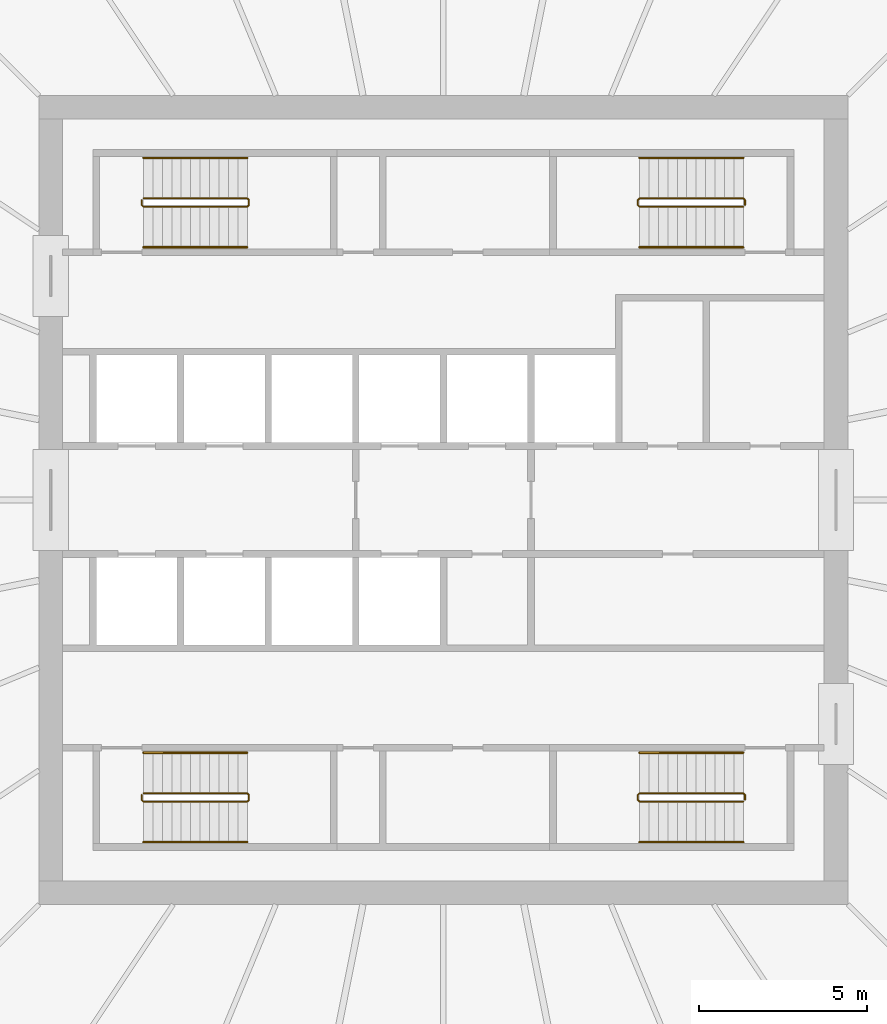
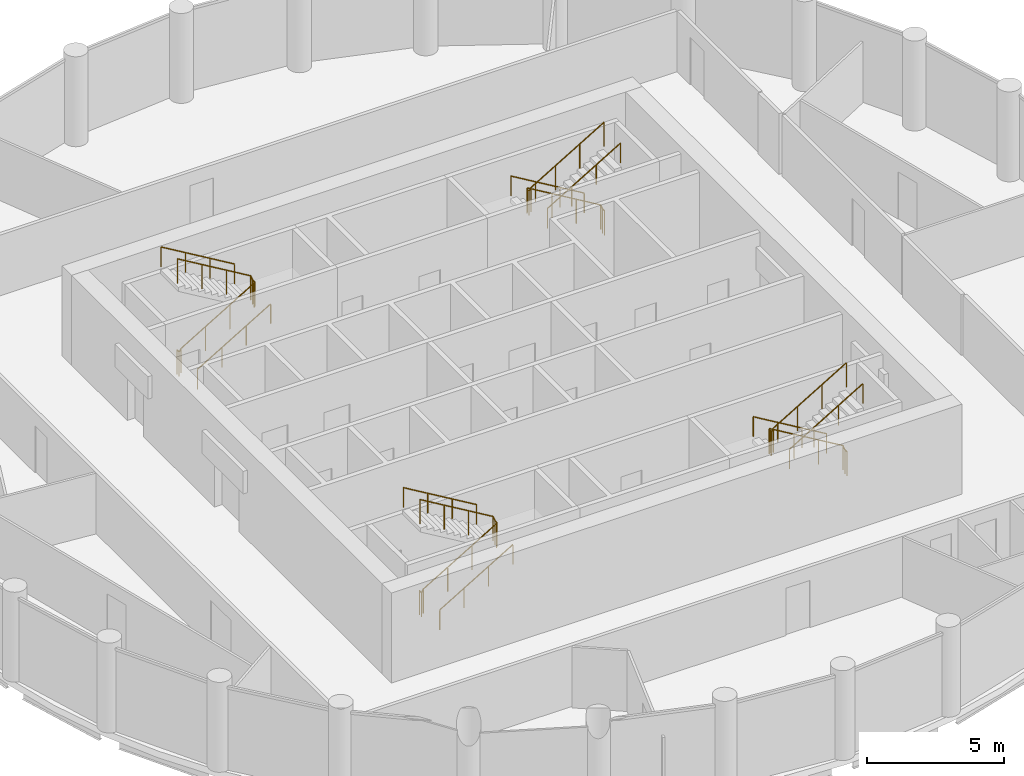
# One storey, part 7 of 7: 12 railings.
"""IFC4 building model written with IfcOpenShell, lengths in metres."""

from ifc_helpers import new_model, si_unit, direction, frame, origin, origin_2d, place, context, subcontext, project, spatial, circle, extrude, material, type_object, element, save


model = new_model("IFC4")

# Units and contexts
model_context = context("Model", 3, precision=1e-05, world=origin(), true_north=direction((0.0, 1.0)))
body_context = subcontext(model_context, "Body", "Model", "MODEL_VIEW")
ifc_project = project(units=[si_unit("LENGTHUNIT", "METRE"), si_unit("AREAUNIT", "SQUARE_METRE"), si_unit("VOLUMEUNIT", "CUBIC_METRE"), si_unit("PLANEANGLEUNIT", "RADIAN"), si_unit("MASSUNIT", "GRAM", prefix="KILO")], contexts=[model_context])

# Site, building, storey
site_placement = place(None, origin())
site = spatial("IfcSite", under=ifc_project, at=site_placement, CompositionType="ELEMENT")
building_placement = place(site_placement, origin())
building = spatial("IfcBuilding", under=site, at=building_placement, Name="Corvane Civic Tower", CompositionType="ELEMENT")
storey_placement = place(building_placement, frame((0.0, 0.0, 275.0)))
storey = spatial("IfcBuildingStorey", under=building, at=storey_placement, Name="L65", CompositionType="ELEMENT", Elevation=275.0)

# Railings
ifc_material_1 = material(Name="Steel ASTM A572 Gr 50", Category="steel")
railing_type_1 = type_object("IfcRailingType", Name="ST-GUARD-1100", PredefinedType="GUARDRAIL", material=ifc_material_1)
railing_1_placement = place(storey_placement, frame((8.949951171875, 8.75, 0.0)))
element("IfcRailing", 1, at=railing_1_placement, inside=storey, type_object=railing_type_1, Name="L65 ST1 stair guard 1", PredefinedType="GUARDRAIL", context=body_context, shape_type="SweptSolid", body=[
    extrude(circle(Radius=0.02392578125, at=origin_2d()), frame((0.0, 0.0, 1.076171875), z_axis=(0.0, 1.0, 0.0), x_axis=(-1.0, 0.0, 0.0)), (0.0, 0.0, 1.0), 0.14990234375),
    extrude(circle(Radius=0.02392578125, at=origin_2d()), frame((0.0, 0.14990234375, 1.076171875), z_axis=(-0.27628659633, 0.27628659633, 0.920506074601), x_axis=(-0.707106781187, -0.707106781187, 0.0)), (0.0, 0.0, 1.0), 0.18115234375),
    extrude(circle(Radius=0.02392578125, at=origin_2d()), frame((-0.050048828125, 0.199951171875, 1.24267578125), z_axis=(-0.859290745958, 0.0, 0.51148745235), x_axis=(0.0, -1.0, 0.0)), (0.0, 0.0, 1.0), 3.584228515625),
    extrude(circle(Radius=0.02392578125, at=origin_2d()), frame((-3.1298828125, 0.199951171875, 3.076171875), z_axis=(-0.707106781187, -0.707106781187, 0.0), x_axis=(0.707106781187, -0.707106781187, 0.0)), (0.0, 0.0, 1.0), 0.07080078125),
    extrude(circle(Radius=0.02392578125, at=origin_2d()), frame((-3.179931640625, 0.14990234375, 3.076171875), z_axis=(0.0, -1.0, 0.0), x_axis=(1.0, 0.0, 0.0)), (0.0, 0.0, 1.0), 0.14990234375),
    extrude(circle(Radius=0.02392578125, at=origin_2d()), frame((-3.179931640625, 0.0, 3.076171875), z_axis=(0.27628659633, -0.27628659633, 0.920506074601), x_axis=(0.707106781187, 0.707106781187, 0.0)), (0.0, 0.0, 1.0), 0.18115234375),
    extrude(circle(Radius=0.02392578125, at=origin_2d()), frame((-3.1298828125, -0.050048828125, 3.24267578125), z_axis=(0.859290745958, 0.0, 0.51148745235), x_axis=(0.0, 1.0, 0.0)), (0.0, 0.0, 1.0), 3.584228515625),
    extrude(circle(Radius=0.02099609375, at=origin_2d()), origin(), (0.0, 0.0, 1.0), 1.052001953125),
    extrude(circle(Radius=0.02099609375, at=origin_2d()), frame((0.0, 0.14990234375, 0.0)), (0.0, 0.0, 1.0), 1.052001953125),
    extrude(circle(Radius=0.02099609375, at=origin_2d()), frame((-0.050048828125, 0.199951171875, 0.166748046875)), (0.0, 0.0, 1.0), 1.052001953125),
    extrude(circle(Radius=0.02099609375, at=origin_2d()), frame((-1.07666015625, 0.199951171875, 0.77783203125)), (0.0, 0.0, 1.0), 1.052001953125),
    extrude(circle(Radius=0.02099609375, at=origin_2d()), frame((-2.103271484375, 0.199951171875, 1.388916015625)), (0.0, 0.0, 1.0), 1.052001953125),
    extrude(circle(Radius=0.02099609375, at=origin_2d()), frame((-3.1298828125, 0.199951171875, 2.0)), (0.0, 0.0, 1.0), 1.052001953125),
    extrude(circle(Radius=0.02099609375, at=origin_2d()), frame((-3.179931640625, 0.14990234375, 2.0)), (0.0, 0.0, 1.0), 1.052001953125),
    extrude(circle(Radius=0.02099609375, at=origin_2d()), frame((-3.179931640625, 0.0, 2.0)), (0.0, 0.0, 1.0), 1.052001953125),
    extrude(circle(Radius=0.02099609375, at=origin_2d()), frame((-3.1298828125, -0.050048828125, 2.166748046875)), (0.0, 0.0, 1.0), 1.052001953125),
    extrude(circle(Radius=0.02099609375, at=origin_2d()), frame((-2.103271484375, -0.050048828125, 2.77783203125)), (0.0, 0.0, 1.0), 1.052001953125),
    extrude(circle(Radius=0.02099609375, at=origin_2d()), frame((-1.07666015625, -0.050048828125, 3.388916015625)), (0.0, 0.0, 1.0), 1.052001953125),
    extrude(circle(Radius=0.02099609375, at=origin_2d()), frame((-0.050048828125, -0.050048828125, 4.0)), (0.0, 0.0, 1.0), 1.052001953125),
])
railing_2_placement = place(storey_placement, frame((8.949951171875, -8.89990234375, 0.0)))
element("IfcRailing", 2, at=railing_2_placement, inside=storey, type_object=railing_type_1, Name="L65 ST2 stair guard 1", PredefinedType="GUARDRAIL", context=body_context, shape_type="SweptSolid", body=[
    extrude(circle(Radius=0.02392578125, at=origin_2d()), frame((0.0, 0.0, 1.076171875), z_axis=(0.0, 1.0, 0.0), x_axis=(-1.0, 0.0, 0.0)), (0.0, 0.0, 1.0), 0.14990234375),
    extrude(circle(Radius=0.02392578125, at=origin_2d()), frame((0.0, 0.14990234375, 1.076171875), z_axis=(-0.27628659633, 0.27628659633, 0.920506074601), x_axis=(-0.707106781187, -0.707106781187, 0.0)), (0.0, 0.0, 1.0), 0.18115234375),
    extrude(circle(Radius=0.02392578125, at=origin_2d()), frame((-0.050048828125, 0.199951171875, 1.24267578125), z_axis=(-0.859290745958, 0.0, 0.51148745235), x_axis=(0.0, -1.0, 0.0)), (0.0, 0.0, 1.0), 3.584228515625),
    extrude(circle(Radius=0.02392578125, at=origin_2d()), frame((-3.1298828125, 0.199951171875, 3.076171875), z_axis=(-0.707106781187, -0.707106781187, 0.0), x_axis=(0.707106781187, -0.707106781187, 0.0)), (0.0, 0.0, 1.0), 0.07080078125),
    extrude(circle(Radius=0.02392578125, at=origin_2d()), frame((-3.179931640625, 0.14990234375, 3.076171875), z_axis=(0.0, -1.0, 0.0), x_axis=(1.0, 0.0, 0.0)), (0.0, 0.0, 1.0), 0.14990234375),
    extrude(circle(Radius=0.02392578125, at=origin_2d()), frame((-3.179931640625, 0.0, 3.076171875), z_axis=(0.27628659633, -0.27628659633, 0.920506074601), x_axis=(0.707106781187, 0.707106781187, 0.0)), (0.0, 0.0, 1.0), 0.18115234375),
    extrude(circle(Radius=0.02392578125, at=origin_2d()), frame((-3.1298828125, -0.050048828125, 3.24267578125), z_axis=(0.859290745958, 0.0, 0.51148745235), x_axis=(0.0, 1.0, 0.0)), (0.0, 0.0, 1.0), 3.584228515625),
    extrude(circle(Radius=0.02099609375, at=origin_2d()), origin(), (0.0, 0.0, 1.0), 1.052001953125),
    extrude(circle(Radius=0.02099609375, at=origin_2d()), frame((0.0, 0.14990234375, 0.0)), (0.0, 0.0, 1.0), 1.052001953125),
    extrude(circle(Radius=0.02099609375, at=origin_2d()), frame((-0.050048828125, 0.199951171875, 0.166748046875)), (0.0, 0.0, 1.0), 1.052001953125),
    extrude(circle(Radius=0.02099609375, at=origin_2d()), frame((-1.07666015625, 0.199951171875, 0.77783203125)), (0.0, 0.0, 1.0), 1.052001953125),
    extrude(circle(Radius=0.02099609375, at=origin_2d()), frame((-2.103271484375, 0.199951171875, 1.388916015625)), (0.0, 0.0, 1.0), 1.052001953125),
    extrude(circle(Radius=0.02099609375, at=origin_2d()), frame((-3.1298828125, 0.199951171875, 2.0)), (0.0, 0.0, 1.0), 1.052001953125),
    extrude(circle(Radius=0.02099609375, at=origin_2d()), frame((-3.179931640625, 0.14990234375, 2.0)), (0.0, 0.0, 1.0), 1.052001953125),
    extrude(circle(Radius=0.02099609375, at=origin_2d()), frame((-3.179931640625, 0.0, 2.0)), (0.0, 0.0, 1.0), 1.052001953125),
    extrude(circle(Radius=0.02099609375, at=origin_2d()), frame((-3.1298828125, -0.050048828125, 2.166748046875)), (0.0, 0.0, 1.0), 1.052001953125),
    extrude(circle(Radius=0.02099609375, at=origin_2d()), frame((-2.103271484375, -0.050048828125, 2.77783203125)), (0.0, 0.0, 1.0), 1.052001953125),
    extrude(circle(Radius=0.02099609375, at=origin_2d()), frame((-1.07666015625, -0.050048828125, 3.388916015625)), (0.0, 0.0, 1.0), 1.052001953125),
    extrude(circle(Radius=0.02099609375, at=origin_2d()), frame((-0.050048828125, -0.050048828125, 4.0)), (0.0, 0.0, 1.0), 1.052001953125),
])
railing_3_placement = place(storey_placement, frame((-8.949951171875, -8.75, 0.0)))
element("IfcRailing", 3, at=railing_3_placement, inside=storey, type_object=railing_type_1, Name="L65 ST3 stair guard 1", PredefinedType="GUARDRAIL", context=body_context, shape_type="SweptSolid", body=[
    extrude(circle(Radius=0.02392578125, at=origin_2d()), frame((0.0, 0.0, 1.076171875), z_axis=(0.0, -1.0, 0.0), x_axis=(1.0, 0.0, 0.0)), (0.0, 0.0, 1.0), 0.14990234375),
    extrude(circle(Radius=0.02392578125, at=origin_2d()), frame((0.0, -0.14990234375, 1.076171875), z_axis=(0.27628659633, -0.27628659633, 0.920506074601), x_axis=(0.707106781187, 0.707106781187, 0.0)), (0.0, 0.0, 1.0), 0.18115234375),
    extrude(circle(Radius=0.02392578125, at=origin_2d()), frame((0.050048828125, -0.199951171875, 1.24267578125), z_axis=(0.859290745958, 0.0, 0.51148745235), x_axis=(0.0, 1.0, 0.0)), (0.0, 0.0, 1.0), 3.584228515625),
    extrude(circle(Radius=0.02392578125, at=origin_2d()), frame((3.1298828125, -0.199951171875, 3.076171875), z_axis=(0.707106781187, 0.707106781187, 0.0), x_axis=(-0.707106781187, 0.707106781187, 0.0)), (0.0, 0.0, 1.0), 0.07080078125),
    extrude(circle(Radius=0.02392578125, at=origin_2d()), frame((3.179931640625, -0.14990234375, 3.076171875), z_axis=(0.0, 1.0, 0.0), x_axis=(-1.0, 0.0, 0.0)), (0.0, 0.0, 1.0), 0.14990234375),
    extrude(circle(Radius=0.02392578125, at=origin_2d()), frame((3.179931640625, 0.0, 3.076171875), z_axis=(-0.27628659633, 0.27628659633, 0.920506074601), x_axis=(-0.707106781187, -0.707106781187, 0.0)), (0.0, 0.0, 1.0), 0.18115234375),
    extrude(circle(Radius=0.02392578125, at=origin_2d()), frame((3.1298828125, 0.050048828125, 3.24267578125), z_axis=(-0.859290745958, 0.0, 0.51148745235), x_axis=(0.0, -1.0, 0.0)), (0.0, 0.0, 1.0), 3.584228515625),
    extrude(circle(Radius=0.02099609375, at=origin_2d()), origin(), (0.0, 0.0, 1.0), 1.052001953125),
    extrude(circle(Radius=0.02099609375, at=origin_2d()), frame((0.0, -0.14990234375, 0.0)), (0.0, 0.0, 1.0), 1.052001953125),
    extrude(circle(Radius=0.02099609375, at=origin_2d()), frame((0.050048828125, -0.199951171875, 0.166748046875)), (0.0, 0.0, 1.0), 1.052001953125),
    extrude(circle(Radius=0.02099609375, at=origin_2d()), frame((1.07666015625, -0.199951171875, 0.77783203125)), (0.0, 0.0, 1.0), 1.052001953125),
    extrude(circle(Radius=0.02099609375, at=origin_2d()), frame((2.103271484375, -0.199951171875, 1.388916015625)), (0.0, 0.0, 1.0), 1.052001953125),
    extrude(circle(Radius=0.02099609375, at=origin_2d()), frame((3.1298828125, -0.199951171875, 2.0)), (0.0, 0.0, 1.0), 1.052001953125),
    extrude(circle(Radius=0.02099609375, at=origin_2d()), frame((3.179931640625, -0.14990234375, 2.0)), (0.0, 0.0, 1.0), 1.052001953125),
    extrude(circle(Radius=0.02099609375, at=origin_2d()), frame((3.179931640625, 0.0, 2.0)), (0.0, 0.0, 1.0), 1.052001953125),
    extrude(circle(Radius=0.02099609375, at=origin_2d()), frame((3.1298828125, 0.050048828125, 2.166748046875)), (0.0, 0.0, 1.0), 1.052001953125),
    extrude(circle(Radius=0.02099609375, at=origin_2d()), frame((2.103271484375, 0.050048828125, 2.77783203125)), (0.0, 0.0, 1.0), 1.052001953125),
    extrude(circle(Radius=0.02099609375, at=origin_2d()), frame((1.07666015625, 0.050048828125, 3.388916015625)), (0.0, 0.0, 1.0), 1.052001953125),
    extrude(circle(Radius=0.02099609375, at=origin_2d()), frame((0.050048828125, 0.050048828125, 4.0)), (0.0, 0.0, 1.0), 1.052001953125),
])
railing_4_placement = place(storey_placement, frame((-8.949951171875, 8.89990234375, 0.0)))
element("IfcRailing", 4, at=railing_4_placement, inside=storey, type_object=railing_type_1, Name="L65 ST4 stair guard 1", PredefinedType="GUARDRAIL", context=body_context, shape_type="SweptSolid", body=[
    extrude(circle(Radius=0.02392578125, at=origin_2d()), frame((0.0, 0.0, 1.076171875), z_axis=(0.0, -1.0, 0.0), x_axis=(1.0, 0.0, 0.0)), (0.0, 0.0, 1.0), 0.14990234375),
    extrude(circle(Radius=0.02392578125, at=origin_2d()), frame((0.0, -0.14990234375, 1.076171875), z_axis=(0.27628659633, -0.27628659633, 0.920506074601), x_axis=(0.707106781187, 0.707106781187, 0.0)), (0.0, 0.0, 1.0), 0.18115234375),
    extrude(circle(Radius=0.02392578125, at=origin_2d()), frame((0.050048828125, -0.199951171875, 1.24267578125), z_axis=(0.859290745958, 0.0, 0.51148745235), x_axis=(0.0, 1.0, 0.0)), (0.0, 0.0, 1.0), 3.584228515625),
    extrude(circle(Radius=0.02392578125, at=origin_2d()), frame((3.1298828125, -0.199951171875, 3.076171875), z_axis=(0.707106781187, 0.707106781187, 0.0), x_axis=(-0.707106781187, 0.707106781187, 0.0)), (0.0, 0.0, 1.0), 0.07080078125),
    extrude(circle(Radius=0.02392578125, at=origin_2d()), frame((3.179931640625, -0.14990234375, 3.076171875), z_axis=(0.0, 1.0, 0.0), x_axis=(-1.0, 0.0, 0.0)), (0.0, 0.0, 1.0), 0.14990234375),
    extrude(circle(Radius=0.02392578125, at=origin_2d()), frame((3.179931640625, 0.0, 3.076171875), z_axis=(-0.27628659633, 0.27628659633, 0.920506074601), x_axis=(-0.707106781187, -0.707106781187, 0.0)), (0.0, 0.0, 1.0), 0.18115234375),
    extrude(circle(Radius=0.02392578125, at=origin_2d()), frame((3.1298828125, 0.050048828125, 3.24267578125), z_axis=(-0.859290745958, 0.0, 0.51148745235), x_axis=(0.0, -1.0, 0.0)), (0.0, 0.0, 1.0), 3.584228515625),
    extrude(circle(Radius=0.02099609375, at=origin_2d()), origin(), (0.0, 0.0, 1.0), 1.052001953125),
    extrude(circle(Radius=0.02099609375, at=origin_2d()), frame((0.0, -0.14990234375, 0.0)), (0.0, 0.0, 1.0), 1.052001953125),
    extrude(circle(Radius=0.02099609375, at=origin_2d()), frame((0.050048828125, -0.199951171875, 0.166748046875)), (0.0, 0.0, 1.0), 1.052001953125),
    extrude(circle(Radius=0.02099609375, at=origin_2d()), frame((1.07666015625, -0.199951171875, 0.77783203125)), (0.0, 0.0, 1.0), 1.052001953125),
    extrude(circle(Radius=0.02099609375, at=origin_2d()), frame((2.103271484375, -0.199951171875, 1.388916015625)), (0.0, 0.0, 1.0), 1.052001953125),
    extrude(circle(Radius=0.02099609375, at=origin_2d()), frame((3.1298828125, -0.199951171875, 2.0)), (0.0, 0.0, 1.0), 1.052001953125),
    extrude(circle(Radius=0.02099609375, at=origin_2d()), frame((3.179931640625, -0.14990234375, 2.0)), (0.0, 0.0, 1.0), 1.052001953125),
    extrude(circle(Radius=0.02099609375, at=origin_2d()), frame((3.179931640625, 0.0, 2.0)), (0.0, 0.0, 1.0), 1.052001953125),
    extrude(circle(Radius=0.02099609375, at=origin_2d()), frame((3.1298828125, 0.050048828125, 2.166748046875)), (0.0, 0.0, 1.0), 1.052001953125),
    extrude(circle(Radius=0.02099609375, at=origin_2d()), frame((2.103271484375, 0.050048828125, 2.77783203125)), (0.0, 0.0, 1.0), 1.052001953125),
    extrude(circle(Radius=0.02099609375, at=origin_2d()), frame((1.07666015625, 0.050048828125, 3.388916015625)), (0.0, 0.0, 1.0), 1.052001953125),
    extrude(circle(Radius=0.02099609375, at=origin_2d()), frame((0.050048828125, 0.050048828125, 4.0)), (0.0, 0.0, 1.0), 1.052001953125),
])
ifc_material_2 = material(Name="Steel ASTM A572 Gr 50", Category="steel")
railing_type_2 = type_object("IfcRailingType", Name="ST-HANDRAIL-900", PredefinedType="HANDRAIL", material=ifc_material_2)
railing_5_placement = place(storey_placement, frame((8.89990234375, 10.14990234375, 0.166748046875)))
element("IfcRailing", 5, at=railing_5_placement, inside=storey, type_object=railing_type_2, Name="L65 ST1 stair handrail 1", PredefinedType="HANDRAIL", context=body_context, shape_type="SweptSolid", body=[
    extrude(circle(Radius=0.02392578125, at=origin_2d()), frame((0.0, 0.0, 0.8759765625), z_axis=(-0.859290745958, 0.0, 0.51148745235), x_axis=(0.0, -1.0, 0.0)), (0.0, 0.0, 1.0), 3.584228515625),
    extrude(circle(Radius=0.02099609375, at=origin_2d()), origin(), (0.0, 0.0, 1.0), 0.851806640625),
    extrude(circle(Radius=0.02099609375, at=origin_2d()), frame((-1.026611328125, 0.0, 0.611083984375)), (0.0, 0.0, 1.0), 0.851806640625),
    extrude(circle(Radius=0.02099609375, at=origin_2d()), frame((-2.05322265625, 0.0, 1.22216796875)), (0.0, 0.0, 1.0), 0.851806640625),
    extrude(circle(Radius=0.02099609375, at=origin_2d()), frame((-3.079833984375, 0.0, 1.833251953125)), (0.0, 0.0, 1.0), 0.851806640625),
])
railing_6_placement = place(storey_placement, frame((5.820068359375, 7.5, 2.166748046875)))
element("IfcRailing", 6, at=railing_6_placement, inside=storey, type_object=railing_type_2, Name="L65 ST1 stair handrail 2", PredefinedType="HANDRAIL", context=body_context, shape_type="SweptSolid", body=[
    extrude(circle(Radius=0.02392578125, at=origin_2d()), frame((0.0, 0.0, 0.8759765625), z_axis=(0.859290745958, 0.0, 0.51148745235), x_axis=(0.0, 1.0, 0.0)), (0.0, 0.0, 1.0), 3.584228515625),
    extrude(circle(Radius=0.02099609375, at=origin_2d()), origin(), (0.0, 0.0, 1.0), 0.851806640625),
    extrude(circle(Radius=0.02099609375, at=origin_2d()), frame((1.026611328125, 0.0, 0.611083984375)), (0.0, 0.0, 1.0), 0.851806640625),
    extrude(circle(Radius=0.02099609375, at=origin_2d()), frame((2.05322265625, 0.0, 1.22216796875)), (0.0, 0.0, 1.0), 0.851806640625),
    extrude(circle(Radius=0.02099609375, at=origin_2d()), frame((3.079833984375, 0.0, 1.833251953125)), (0.0, 0.0, 1.0), 0.851806640625),
])
railing_7_placement = place(storey_placement, frame((8.89990234375, -7.5, 0.166748046875)))
element("IfcRailing", 7, at=railing_7_placement, inside=storey, type_object=railing_type_2, Name="L65 ST2 stair handrail 1", PredefinedType="HANDRAIL", context=body_context, shape_type="SweptSolid", body=[
    extrude(circle(Radius=0.02392578125, at=origin_2d()), frame((0.0, 0.0, 0.8759765625), z_axis=(-0.859290745958, 0.0, 0.51148745235), x_axis=(0.0, -1.0, 0.0)), (0.0, 0.0, 1.0), 3.584228515625),
    extrude(circle(Radius=0.02099609375, at=origin_2d()), origin(), (0.0, 0.0, 1.0), 0.851806640625),
    extrude(circle(Radius=0.02099609375, at=origin_2d()), frame((-1.026611328125, 0.0, 0.611083984375)), (0.0, 0.0, 1.0), 0.851806640625),
    extrude(circle(Radius=0.02099609375, at=origin_2d()), frame((-2.05322265625, 0.0, 1.22216796875)), (0.0, 0.0, 1.0), 0.851806640625),
    extrude(circle(Radius=0.02099609375, at=origin_2d()), frame((-3.079833984375, 0.0, 1.833251953125)), (0.0, 0.0, 1.0), 0.851806640625),
])
for number, where, name in (
    (8, (5.820068359375, -10.14990234375, 2.166748046875), "L65 ST2 stair handrail 2"),
    (9, (-8.89990234375, -10.14990234375, 0.166748046875), "L65 ST3 stair handrail 1"),
):
    element("IfcRailing", number, at=place(storey_placement, frame(where)), inside=storey, type_object=railing_type_2, Name=name, PredefinedType="HANDRAIL", context=body_context, shape_type="SweptSolid", body=[
        extrude(circle(Radius=0.02392578125, at=origin_2d()), frame((0.0, 0.0, 0.8759765625), z_axis=(0.859290745958, 0.0, 0.51148745235), x_axis=(0.0, 1.0, 0.0)), (0.0, 0.0, 1.0), 3.584228515625),
        extrude(circle(Radius=0.02099609375, at=origin_2d()), origin(), (0.0, 0.0, 1.0), 0.851806640625),
        extrude(circle(Radius=0.02099609375, at=origin_2d()), frame((1.026611328125, 0.0, 0.611083984375)), (0.0, 0.0, 1.0), 0.851806640625),
        extrude(circle(Radius=0.02099609375, at=origin_2d()), frame((2.05322265625, 0.0, 1.22216796875)), (0.0, 0.0, 1.0), 0.851806640625),
        extrude(circle(Radius=0.02099609375, at=origin_2d()), frame((3.079833984375, 0.0, 1.833251953125)), (0.0, 0.0, 1.0), 0.851806640625),
    ])
railing_8_placement = place(storey_placement, frame((-5.820068359375, -7.5, 2.166748046875)))
element("IfcRailing", 10, at=railing_8_placement, inside=storey, type_object=railing_type_2, Name="L65 ST3 stair handrail 2", PredefinedType="HANDRAIL", context=body_context, shape_type="SweptSolid", body=[
    extrude(circle(Radius=0.02392578125, at=origin_2d()), frame((0.0, 0.0, 0.8759765625), z_axis=(-0.859290745958, 0.0, 0.51148745235), x_axis=(0.0, -1.0, 0.0)), (0.0, 0.0, 1.0), 3.584228515625),
    extrude(circle(Radius=0.02099609375, at=origin_2d()), origin(), (0.0, 0.0, 1.0), 0.851806640625),
    extrude(circle(Radius=0.02099609375, at=origin_2d()), frame((-1.026611328125, 0.0, 0.611083984375)), (0.0, 0.0, 1.0), 0.851806640625),
    extrude(circle(Radius=0.02099609375, at=origin_2d()), frame((-2.05322265625, 0.0, 1.22216796875)), (0.0, 0.0, 1.0), 0.851806640625),
    extrude(circle(Radius=0.02099609375, at=origin_2d()), frame((-3.079833984375, 0.0, 1.833251953125)), (0.0, 0.0, 1.0), 0.851806640625),
])
railing_9_placement = place(storey_placement, frame((-8.89990234375, 7.5, 0.166748046875)))
element("IfcRailing", 11, at=railing_9_placement, inside=storey, type_object=railing_type_2, Name="L65 ST4 stair handrail 1", PredefinedType="HANDRAIL", context=body_context, shape_type="SweptSolid", body=[
    extrude(circle(Radius=0.02392578125, at=origin_2d()), frame((0.0, 0.0, 0.8759765625), z_axis=(0.859290745958, 0.0, 0.51148745235), x_axis=(0.0, 1.0, 0.0)), (0.0, 0.0, 1.0), 3.584228515625),
    extrude(circle(Radius=0.02099609375, at=origin_2d()), origin(), (0.0, 0.0, 1.0), 0.851806640625),
    extrude(circle(Radius=0.02099609375, at=origin_2d()), frame((1.026611328125, 0.0, 0.611083984375)), (0.0, 0.0, 1.0), 0.851806640625),
    extrude(circle(Radius=0.02099609375, at=origin_2d()), frame((2.05322265625, 0.0, 1.22216796875)), (0.0, 0.0, 1.0), 0.851806640625),
    extrude(circle(Radius=0.02099609375, at=origin_2d()), frame((3.079833984375, 0.0, 1.833251953125)), (0.0, 0.0, 1.0), 0.851806640625),
])
railing_10_placement = place(storey_placement, frame((-5.820068359375, 10.14990234375, 2.166748046875)))
element("IfcRailing", 12, at=railing_10_placement, inside=storey, type_object=railing_type_2, Name="L65 ST4 stair handrail 2", PredefinedType="HANDRAIL", context=body_context, shape_type="SweptSolid", body=[
    extrude(circle(Radius=0.02392578125, at=origin_2d()), frame((0.0, 0.0, 0.8759765625), z_axis=(-0.859290745958, 0.0, 0.51148745235), x_axis=(0.0, -1.0, 0.0)), (0.0, 0.0, 1.0), 3.584228515625),
    extrude(circle(Radius=0.02099609375, at=origin_2d()), origin(), (0.0, 0.0, 1.0), 0.851806640625),
    extrude(circle(Radius=0.02099609375, at=origin_2d()), frame((-1.026611328125, 0.0, 0.611083984375)), (0.0, 0.0, 1.0), 0.851806640625),
    extrude(circle(Radius=0.02099609375, at=origin_2d()), frame((-2.05322265625, 0.0, 1.22216796875)), (0.0, 0.0, 1.0), 0.851806640625),
    extrude(circle(Radius=0.02099609375, at=origin_2d()), frame((-3.079833984375, 0.0, 1.833251953125)), (0.0, 0.0, 1.0), 0.851806640625),
])

save(model, "model.ifc")
